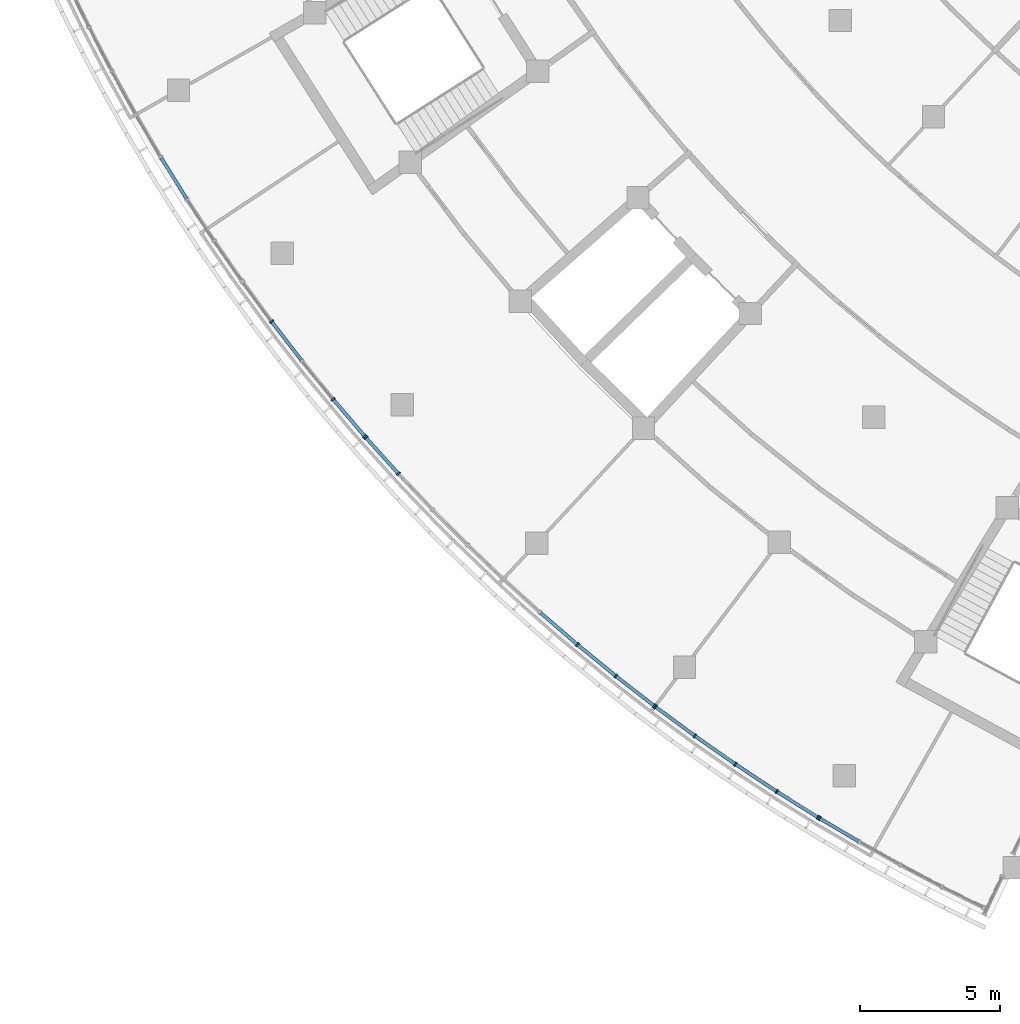
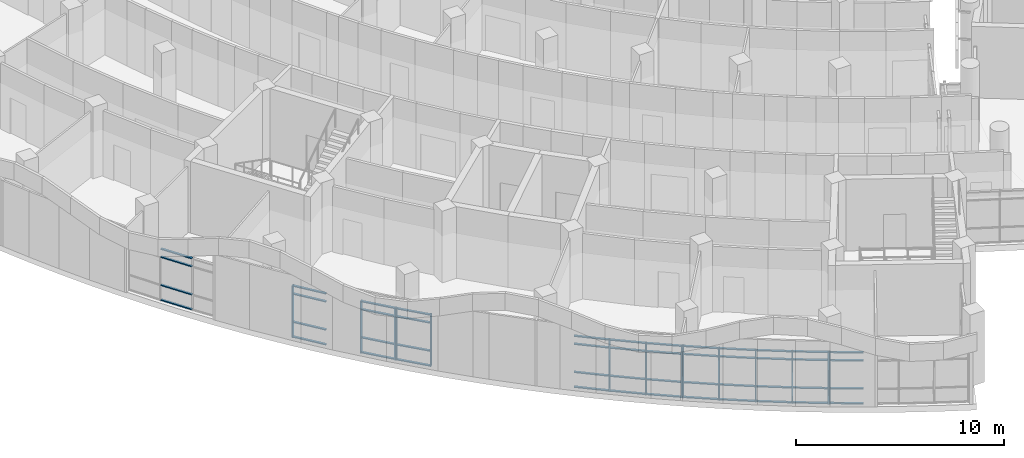
# One storey, part 4 of 109: 62 members, 6 elements without a shape of their own.
"""IFC4 building model written with IfcOpenShell, lengths in metres."""

from ifc_helpers import new_model, si_unit, direction, frame, origin, origin_2d, place, context, subcontext, project, spatial, rectangle, extrude, material, material_profile, profile_set, type_object, element, aggregate, save


model = new_model("IFC4")

# Units and contexts
model_context = context("Model", 3, precision=1e-05, world=origin(), true_north=direction((0.0, 1.0)))
body_context = subcontext(model_context, "Body", "Model", "MODEL_VIEW")
ifc_project = project(units=[si_unit("LENGTHUNIT", "METRE"), si_unit("AREAUNIT", "SQUARE_METRE"), si_unit("VOLUMEUNIT", "CUBIC_METRE"), si_unit("PLANEANGLEUNIT", "RADIAN"), si_unit("MASSUNIT", "GRAM", prefix="KILO")], contexts=[model_context])

# Site, building, storey
site_placement = place(None, origin())
site = spatial("IfcSite", under=ifc_project, at=site_placement, CompositionType="ELEMENT")
building_placement = place(site_placement, origin())
building = spatial("IfcBuilding", under=site, at=building_placement, Name="Bougainvillea Quay General Hospital", CompositionType="ELEMENT")
storey_placement = place(building_placement, frame((0.0, 0.0, 12.60009765625)))
storey = spatial("IfcBuildingStorey", under=building, at=storey_placement, Name="L02", CompositionType="ELEMENT", Elevation=12.60009765625)

# Curtain wall, member
ifc_material_1 = material(Name="Aluminium curtain wall system, powder-coated glazed", Category="aluminium")
curtain_wall_type = type_object("IfcCurtainWallType", Name="Unitised curtain wall CW-2100", PredefinedType="NOTDEFINED", material=ifc_material_1)
curtain_wall_1_placement = place(storey_placement, origin())
curtain_wall_1 = element("IfcCurtainWall", 1, at=curtain_wall_1_placement, inside=storey, type_object=curtain_wall_type, Name="CW-W01 a01b0", PredefinedType="NOTDEFINED")
ifc_material_2 = material(Name="Aluminium mullion, powder-coated charcoal", Category="aluminium")
ifc_material_profile_1 = material_profile(ifc_material_2, rectangle(XDim=0.159912109375, YDim=0.06005859375, at=origin_2d()))
ifc_profile_set_1 = profile_set([ifc_material_profile_1], Name="Aluminium mullion, powder-coated charcoal")
member_type_1 = type_object("IfcMemberType", Name="Curtain wall mullion 160x60", PredefinedType="MULLION", material=ifc_profile_set_1)
member_1_placement = place(storey_placement, frame((72.976806640625, 66.393798828125, 0.0), z_axis=(0.0, 0.0, 1.0), x_axis=(-0.509346436695, -0.860561565158, 0.0)))
member_1 = element("IfcMember", 2, at=member_1_placement, type_object=member_type_1, Name="CW-W01 mullion 5", PredefinedType="MULLION", context=body_context, shape_type="SweptSolid", body=[
    extrude(rectangle(XDim=0.159912109375, YDim=0.06005859375, at=origin_2d()), origin(), (0.0, 0.0, 1.0), 3.0498046875),
])

# Curtain wall, members
curtain_wall_2_placement = place(storey_placement, origin())
curtain_wall_2 = element("IfcCurtainWall", 3, at=curtain_wall_2_placement, inside=storey, type_object=curtain_wall_type, Name="CW-W02 a01b1", PredefinedType="NOTDEFINED")
member_2_placement = place(storey_placement, frame((72.925537109375, 66.425048828125, 0.0), z_axis=(0.0, 0.0, 1.0), x_axis=(-0.530488991968, -0.847691824545, 0.0)))
member_2 = element("IfcMember", 4, at=member_2_placement, type_object=member_type_1, Name="CW-W02 mullion 1", PredefinedType="MULLION", context=body_context, shape_type="SweptSolid", body=[
    extrude(rectangle(XDim=0.159912109375, YDim=0.06005859375, at=origin_2d()), origin(), (0.0, 0.0, 1.0), 3.0498046875),
])
member_3_placement = place(storey_placement, frame((71.45166015625, 67.347412109375, 0.0), z_axis=(0.0, 0.0, 1.0), x_axis=(-0.541194636325, -0.840897357359, 0.0)))
member_3 = element("IfcMember", 5, at=member_3_placement, type_object=member_type_1, Name="CW-W02 mullion 2", PredefinedType="MULLION", context=body_context, shape_type="SweptSolid", body=[
    extrude(rectangle(XDim=0.159912109375, YDim=0.06005859375, at=origin_2d()), origin(), (0.0, 0.0, 1.0), 3.0498046875),
])
member_4_placement = place(storey_placement, frame((69.9765625, 68.323486328125, 0.0), z_axis=(0.0, 0.0, 1.0), x_axis=(-0.562343185136, -0.826903949762, 0.0)))
member_4 = element("IfcMember", 6, at=member_4_placement, type_object=member_type_1, Name="CW-W02 mullion 3", PredefinedType="MULLION", context=body_context, shape_type="SweptSolid", body=[
    extrude(rectangle(XDim=0.159912109375, YDim=0.06005859375, at=origin_2d()), origin(), (0.0, 0.0, 1.0), 3.0498046875),
])
member_5_placement = place(storey_placement, frame((68.526611328125, 69.336669921875, 0.0), z_axis=(0.0, 0.0, 1.0), x_axis=(-0.583130104218, -0.812378779606, 0.0)))
member_5 = element("IfcMember", 7, at=member_5_placement, type_object=member_type_1, Name="CW-W02 mullion 4", PredefinedType="MULLION", context=body_context, shape_type="SweptSolid", body=[
    extrude(rectangle(XDim=0.159912109375, YDim=0.06005859375, at=origin_2d()), origin(), (0.0, 0.0, 1.0), 3.0498046875),
])
member_6_placement = place(storey_placement, frame((67.127197265625, 70.368408203125, 0.0), z_axis=(0.0, 0.0, 1.0), x_axis=(-0.593383765922, -0.804919689373, 0.0)))
member_6 = element("IfcMember", 8, at=member_6_placement, type_object=member_type_1, Name="CW-W02 mullion 5", PredefinedType="MULLION", context=body_context, shape_type="SweptSolid", body=[
    extrude(rectangle(XDim=0.159912109375, YDim=0.06005859375, at=origin_2d()), origin(), (0.0, 0.0, 1.0), 3.0498046875),
])

curtain_wall_3_placement = place(storey_placement, origin())
curtain_wall_3 = element("IfcCurtainWall", 9, at=curtain_wall_3_placement, inside=storey, type_object=curtain_wall_type, Name="CW-W03 a01b2", PredefinedType="NOTDEFINED")
member_7_placement = place(storey_placement, frame((67.079345703125, 70.404541015625, 0.0), z_axis=(0.0, 0.0, 1.0), x_axis=(-0.613603251226, -0.789614494602, 0.0)))
member_7 = element("IfcMember", 10, at=member_7_placement, type_object=member_type_1, Name="CW-W03 mullion 1", PredefinedType="MULLION", context=body_context, shape_type="SweptSolid", body=[
    extrude(rectangle(XDim=0.159912109375, YDim=0.06005859375, at=origin_2d()), origin(), (0.0, 0.0, 1.0), 3.0498046875),
])
member_8_placement = place(storey_placement, frame((65.706298828125, 71.471435546875, 0.0), z_axis=(0.0, 0.0, 1.0), x_axis=(-0.623565824026, -0.781770850765, 0.0)))
member_8 = element("IfcMember", 11, at=member_8_placement, type_object=member_type_1, Name="CW-W03 mullion 2", PredefinedType="MULLION", context=body_context, shape_type="SweptSolid", body=[
    extrude(rectangle(XDim=0.159912109375, YDim=0.06005859375, at=origin_2d()), origin(), (0.0, 0.0, 1.0), 3.0498046875),
])
member_9_placement = place(storey_placement, frame((64.337646484375, 72.591796875, 0.0), z_axis=(0.0, 0.0, 1.0), x_axis=(-0.643188621489, -0.765707775321, 0.0)))
member_9 = element("IfcMember", 12, at=member_9_placement, type_object=member_type_1, Name="CW-W03 mullion 3", PredefinedType="MULLION", context=body_context, shape_type="SweptSolid", body=[
    extrude(rectangle(XDim=0.159912109375, YDim=0.06005859375, at=origin_2d()), origin(), (0.0, 0.0, 1.0), 3.0498046875),
])

curtain_wall_4_placement = place(storey_placement, origin())
curtain_wall_4 = element("IfcCurtainWall", 13, at=curtain_wall_4_placement, inside=storey, type_object=curtain_wall_type, Name="CW-W04 a01b3", PredefinedType="NOTDEFINED")
member_10_placement = place(storey_placement, frame((57.94384765625, 78.69384765625, 0.0), z_axis=(0.0, 0.0, 1.0), x_axis=(-0.734855411756, -0.678223800683, 0.0)))
member_10 = element("IfcMember", 14, at=member_10_placement, type_object=member_type_1, Name="CW-W04 mullion 4", PredefinedType="MULLION", context=body_context, shape_type="SweptSolid", body=[
    extrude(rectangle(XDim=0.159912109375, YDim=0.06005859375, at=origin_2d()), origin(), (0.0, 0.0, 1.0), 3.0498046875),
])
member_11_placement = place(storey_placement, frame((56.78076171875, 79.986572265625, 0.0), z_axis=(0.0, 0.0, 1.0), x_axis=(-0.743395861593, -0.668851697289, 0.0)))
member_11 = element("IfcMember", 15, at=member_11_placement, type_object=member_type_1, Name="CW-W04 mullion 5", PredefinedType="MULLION", context=body_context, shape_type="SweptSolid", body=[
    extrude(rectangle(XDim=0.159912109375, YDim=0.06005859375, at=origin_2d()), origin(), (0.0, 0.0, 1.0), 3.0498046875),
])

curtain_wall_5_placement = place(storey_placement, origin())
curtain_wall_5 = element("IfcCurtainWall", 16, at=curtain_wall_5_placement, inside=storey, type_object=curtain_wall_type, Name="CW-W05 a01b4", PredefinedType="NOTDEFINED")
member_12_placement = place(storey_placement, frame((56.7412109375, 80.031494140625, 0.0), z_axis=(0.0, 0.0, 1.0), x_axis=(-0.760116847627, -0.649786409486, 0.0)))
member_12 = element("IfcMember", 17, at=member_12_placement, type_object=member_type_1, Name="CW-W05 mullion 1", PredefinedType="MULLION", context=body_context, shape_type="SweptSolid", body=[
    extrude(rectangle(XDim=0.159912109375, YDim=0.06005859375, at=origin_2d()), origin(), (0.0, 0.0, 1.0), 3.0498046875),
])
member_13_placement = place(storey_placement, frame((55.611572265625, 81.353271484375, 0.0), z_axis=(0.0, 0.0, 1.0), x_axis=(-0.768294695498, -0.64009629031, 0.0)))
member_13 = element("IfcMember", 18, at=member_13_placement, type_object=member_type_1, Name="CW-W05 mullion 2", PredefinedType="MULLION", context=body_context, shape_type="SweptSolid", body=[
    extrude(rectangle(XDim=0.159912109375, YDim=0.06005859375, at=origin_2d()), origin(), (0.0, 0.0, 1.0), 3.0498046875),
])
member_14_placement = place(storey_placement, frame((53.4169921875, 84.12744140625, 0.0), z_axis=(0.0, 0.0, 1.0), x_axis=(-0.799758007688, -0.600322520933, 0.0)))
member_14 = element("IfcMember", 19, at=member_14_placement, type_object=member_type_1, Name="CW-W05 mullion 4", PredefinedType="MULLION", context=body_context, shape_type="SweptSolid", body=[
    extrude(rectangle(XDim=0.159912109375, YDim=0.06005859375, at=origin_2d()), origin(), (0.0, 0.0, 1.0), 3.0498046875),
])

# Member
ifc_material_3 = material(Name="Aluminium transom, powder-coated charcoal", Category="aluminium")
ifc_material_profile_2 = material_profile(ifc_material_3, rectangle(XDim=0.1201171875, YDim=0.06005859375, at=origin_2d()))
ifc_profile_set_2 = profile_set([ifc_material_profile_2], Name="Aluminium transom, powder-coated charcoal")
member_type_2 = type_object("IfcMemberType", Name="Curtain wall transom 120x60", PredefinedType="USERDEFINED", material=ifc_profile_set_2)
member_15_placement = place(storey_placement, frame((74.37451171875, 65.566650390625, 0.02978515625), z_axis=(-0.860545172696, 0.509374131409, 0.0), x_axis=(-0.509374131409, -0.860545172696, 0.0)))
member_15 = element("IfcMember", 20, at=member_15_placement, type_object=member_type_2, Name="CW-W01 transom 4.1", ObjectType="TRANSOM", PredefinedType="USERDEFINED", context=body_context, shape_type="SweptSolid", body=[
    extrude(rectangle(XDim=0.1201171875, YDim=0.06005859375, at=origin_2d()), origin(), (0.0, 0.0, 1.0), 1.59423828125),
])

member_16_placement = place(storey_placement, frame((74.37451171875, 65.566650390625, 0.89990234375), z_axis=(-0.860545172696, 0.509374131409, 0.0), x_axis=(-0.509374131409, -0.860545172696, 0.0)))
member_16 = element("IfcMember", 21, at=member_16_placement, type_object=member_type_2, Name="CW-W01 transom 4.2", ObjectType="TRANSOM", PredefinedType="USERDEFINED", context=body_context, shape_type="SweptSolid", body=[
    extrude(rectangle(XDim=0.1201171875, YDim=0.06005859375, at=origin_2d()), origin(), (0.0, 0.0, 1.0), 1.59423828125),
])

member_17_placement = place(storey_placement, frame((74.37451171875, 65.566650390625, 2.5498046875), z_axis=(-0.860545172696, 0.509374131409, 0.0), x_axis=(-0.509374131409, -0.860545172696, 0.0)))
member_17 = element("IfcMember", 22, at=member_17_placement, type_object=member_type_2, Name="CW-W01 transom 4.3", ObjectType="TRANSOM", PredefinedType="USERDEFINED", context=body_context, shape_type="SweptSolid", body=[
    extrude(rectangle(XDim=0.1201171875, YDim=0.06005859375, at=origin_2d()), origin(), (0.0, 0.0, 1.0), 1.59423828125),
])

member_18_placement = place(storey_placement, frame((74.37451171875, 65.566650390625, 3.02001953125), z_axis=(-0.860545172696, 0.509374131409, 0.0), x_axis=(-0.509374131409, -0.860545172696, 0.0)))
member_18 = element("IfcMember", 23, at=member_18_placement, type_object=member_type_2, Name="CW-W01 transom 4.4", ObjectType="TRANSOM", PredefinedType="USERDEFINED", context=body_context, shape_type="SweptSolid", body=[
    extrude(rectangle(XDim=0.1201171875, YDim=0.06005859375, at=origin_2d()), origin(), (0.0, 0.0, 1.0), 1.59423828125),
])

aggregate(curtain_wall_1, [member_1, member_15, member_16, member_17, member_18])

member_19_placement = place(storey_placement, frame((72.900146484375, 66.44091796875, 0.02978515625), z_axis=(-0.847679524006, 0.530508647036, 0.0), x_axis=(-0.530508647036, -0.847679524006, 0.0)))
member_19 = element("IfcMember", 24, at=member_19_placement, type_object=member_type_2, Name="CW-W02 transom 1.1", ObjectType="TRANSOM", PredefinedType="USERDEFINED", context=body_context, shape_type="SweptSolid", body=[
    extrude(rectangle(XDim=0.1201171875, YDim=0.06005859375, at=origin_2d()), origin(), (0.0, 0.0, 1.0), 1.6787109375),
])

member_20_placement = place(storey_placement, frame((72.900146484375, 66.44091796875, 0.89990234375), z_axis=(-0.847679524006, 0.530508647036, 0.0), x_axis=(-0.530508647036, -0.847679524006, 0.0)))
member_20 = element("IfcMember", 25, at=member_20_placement, type_object=member_type_2, Name="CW-W02 transom 1.2", ObjectType="TRANSOM", PredefinedType="USERDEFINED", context=body_context, shape_type="SweptSolid", body=[
    extrude(rectangle(XDim=0.1201171875, YDim=0.06005859375, at=origin_2d()), origin(), (0.0, 0.0, 1.0), 1.6787109375),
])

member_21_placement = place(storey_placement, frame((72.900146484375, 66.44091796875, 2.5498046875), z_axis=(-0.847679524006, 0.530508647036, 0.0), x_axis=(-0.530508647036, -0.847679524006, 0.0)))
member_21 = element("IfcMember", 26, at=member_21_placement, type_object=member_type_2, Name="CW-W02 transom 1.3", ObjectType="TRANSOM", PredefinedType="USERDEFINED", context=body_context, shape_type="SweptSolid", body=[
    extrude(rectangle(XDim=0.1201171875, YDim=0.06005859375, at=origin_2d()), origin(), (0.0, 0.0, 1.0), 1.6787109375),
])

member_22_placement = place(storey_placement, frame((72.900146484375, 66.44091796875, 3.02001953125), z_axis=(-0.847679524006, 0.530508647036, 0.0), x_axis=(-0.530508647036, -0.847679524006, 0.0)))
member_22 = element("IfcMember", 27, at=member_22_placement, type_object=member_type_2, Name="CW-W02 transom 1.4", ObjectType="TRANSOM", PredefinedType="USERDEFINED", context=body_context, shape_type="SweptSolid", body=[
    extrude(rectangle(XDim=0.1201171875, YDim=0.06005859375, at=origin_2d()), origin(), (0.0, 0.0, 1.0), 1.6787109375),
])

member_23_placement = place(storey_placement, frame((71.4267578125, 67.364013671875, 0.02978515625), z_axis=(-0.833979585155, 0.551795298589, 0.0), x_axis=(-0.551795298589, -0.833979585155, 0.0)))
member_23 = element("IfcMember", 28, at=member_23_placement, type_object=member_type_2, Name="CW-W02 transom 2.1", ObjectType="TRANSOM", PredefinedType="USERDEFINED", context=body_context, shape_type="SweptSolid", body=[
    extrude(rectangle(XDim=0.1201171875, YDim=0.06005859375, at=origin_2d()), origin(), (0.0, 0.0, 1.0), 1.708740234375),
])

member_24_placement = place(storey_placement, frame((71.4267578125, 67.364013671875, 0.89990234375), z_axis=(-0.833979585155, 0.551795298589, 0.0), x_axis=(-0.551795298589, -0.833979585155, 0.0)))
member_24 = element("IfcMember", 29, at=member_24_placement, type_object=member_type_2, Name="CW-W02 transom 2.2", ObjectType="TRANSOM", PredefinedType="USERDEFINED", context=body_context, shape_type="SweptSolid", body=[
    extrude(rectangle(XDim=0.1201171875, YDim=0.06005859375, at=origin_2d()), origin(), (0.0, 0.0, 1.0), 1.708740234375),
])

member_25_placement = place(storey_placement, frame((71.4267578125, 67.364013671875, 2.5498046875), z_axis=(-0.833979585155, 0.551795298589, 0.0), x_axis=(-0.551795298589, -0.833979585155, 0.0)))
member_25 = element("IfcMember", 30, at=member_25_placement, type_object=member_type_2, Name="CW-W02 transom 2.3", ObjectType="TRANSOM", PredefinedType="USERDEFINED", context=body_context, shape_type="SweptSolid", body=[
    extrude(rectangle(XDim=0.1201171875, YDim=0.06005859375, at=origin_2d()), origin(), (0.0, 0.0, 1.0), 1.708740234375),
])

member_26_placement = place(storey_placement, frame((71.4267578125, 67.364013671875, 3.02001953125), z_axis=(-0.833979585155, 0.551795298589, 0.0), x_axis=(-0.551795298589, -0.833979585155, 0.0)))
member_26 = element("IfcMember", 31, at=member_26_placement, type_object=member_type_2, Name="CW-W02 transom 2.4", ObjectType="TRANSOM", PredefinedType="USERDEFINED", context=body_context, shape_type="SweptSolid", body=[
    extrude(rectangle(XDim=0.1201171875, YDim=0.06005859375, at=origin_2d()), origin(), (0.0, 0.0, 1.0), 1.708740234375),
])

member_27_placement = place(storey_placement, frame((69.951904296875, 68.340576171875, 0.02978515625), z_axis=(-0.81969481029, 0.572800504524, 0.0), x_axis=(-0.572800504524, -0.81969481029, 0.0)))
member_27 = element("IfcMember", 32, at=member_27_placement, type_object=member_type_2, Name="CW-W02 transom 3.1", ObjectType="TRANSOM", PredefinedType="USERDEFINED", context=body_context, shape_type="SweptSolid", body=[
    extrude(rectangle(XDim=0.1201171875, YDim=0.06005859375, at=origin_2d()), origin(), (0.0, 0.0, 1.0), 1.708740234375),
])

member_28_placement = place(storey_placement, frame((69.951904296875, 68.340576171875, 0.89990234375), z_axis=(-0.81969481029, 0.572800504524, 0.0), x_axis=(-0.572800504524, -0.81969481029, 0.0)))
member_28 = element("IfcMember", 33, at=member_28_placement, type_object=member_type_2, Name="CW-W02 transom 3.2", ObjectType="TRANSOM", PredefinedType="USERDEFINED", context=body_context, shape_type="SweptSolid", body=[
    extrude(rectangle(XDim=0.1201171875, YDim=0.06005859375, at=origin_2d()), origin(), (0.0, 0.0, 1.0), 1.708740234375),
])

member_29_placement = place(storey_placement, frame((69.951904296875, 68.340576171875, 2.5498046875), z_axis=(-0.81969481029, 0.572800504524, 0.0), x_axis=(-0.572800504524, -0.81969481029, 0.0)))
member_29 = element("IfcMember", 34, at=member_29_placement, type_object=member_type_2, Name="CW-W02 transom 3.3", ObjectType="TRANSOM", PredefinedType="USERDEFINED", context=body_context, shape_type="SweptSolid", body=[
    extrude(rectangle(XDim=0.1201171875, YDim=0.06005859375, at=origin_2d()), origin(), (0.0, 0.0, 1.0), 1.708740234375),
])

member_30_placement = place(storey_placement, frame((69.951904296875, 68.340576171875, 3.02001953125), z_axis=(-0.81969481029, 0.572800504524, 0.0), x_axis=(-0.572800504524, -0.81969481029, 0.0)))
member_30 = element("IfcMember", 35, at=member_30_placement, type_object=member_type_2, Name="CW-W02 transom 3.4", ObjectType="TRANSOM", PredefinedType="USERDEFINED", context=body_context, shape_type="SweptSolid", body=[
    extrude(rectangle(XDim=0.1201171875, YDim=0.06005859375, at=origin_2d()), origin(), (0.0, 0.0, 1.0), 1.708740234375),
])

member_31_placement = place(storey_placement, frame((68.50244140625, 69.3544921875, 0.02978515625), z_axis=(-0.804894956089, 0.593417314934, 0.0), x_axis=(-0.593417314934, -0.804894956089, 0.0)))
member_31 = element("IfcMember", 36, at=member_31_placement, type_object=member_type_2, Name="CW-W02 transom 4.1", ObjectType="TRANSOM", PredefinedType="USERDEFINED", context=body_context, shape_type="SweptSolid", body=[
    extrude(rectangle(XDim=0.1201171875, YDim=0.06005859375, at=origin_2d()), origin(), (0.0, 0.0, 1.0), 1.678466796875),
])

member_32_placement = place(storey_placement, frame((68.50244140625, 69.3544921875, 0.89990234375), z_axis=(-0.804894956089, 0.593417314934, 0.0), x_axis=(-0.593417314934, -0.804894956089, 0.0)))
member_32 = element("IfcMember", 37, at=member_32_placement, type_object=member_type_2, Name="CW-W02 transom 4.2", ObjectType="TRANSOM", PredefinedType="USERDEFINED", context=body_context, shape_type="SweptSolid", body=[
    extrude(rectangle(XDim=0.1201171875, YDim=0.06005859375, at=origin_2d()), origin(), (0.0, 0.0, 1.0), 1.678466796875),
])

member_33_placement = place(storey_placement, frame((68.50244140625, 69.3544921875, 2.5498046875), z_axis=(-0.804894956089, 0.593417314934, 0.0), x_axis=(-0.593417314934, -0.804894956089, 0.0)))
member_33 = element("IfcMember", 38, at=member_33_placement, type_object=member_type_2, Name="CW-W02 transom 4.3", ObjectType="TRANSOM", PredefinedType="USERDEFINED", context=body_context, shape_type="SweptSolid", body=[
    extrude(rectangle(XDim=0.1201171875, YDim=0.06005859375, at=origin_2d()), origin(), (0.0, 0.0, 1.0), 1.678466796875),
])

member_34_placement = place(storey_placement, frame((68.50244140625, 69.3544921875, 3.02001953125), z_axis=(-0.804894956089, 0.593417314934, 0.0), x_axis=(-0.593417314934, -0.804894956089, 0.0)))
member_34 = element("IfcMember", 39, at=member_34_placement, type_object=member_type_2, Name="CW-W02 transom 4.4", ObjectType="TRANSOM", PredefinedType="USERDEFINED", context=body_context, shape_type="SweptSolid", body=[
    extrude(rectangle(XDim=0.1201171875, YDim=0.06005859375, at=origin_2d()), origin(), (0.0, 0.0, 1.0), 1.678466796875),
])

aggregate(curtain_wall_2, [member_2, member_3, member_4, member_5, member_6, member_19, member_20, member_21, member_22, member_23, member_24, member_25, member_26, member_27, member_28, member_29, member_30, member_31, member_32, member_33, member_34])

member_35_placement = place(storey_placement, frame((67.0556640625, 70.423095703125, 0.02978515625), z_axis=(-0.789657512127, 0.613547890178, 0.0), x_axis=(-0.613547890178, -0.789657512127, 0.0)))
member_35 = element("IfcMember", 40, at=member_35_placement, type_object=member_type_2, Name="CW-W03 transom 1.1", ObjectType="TRANSOM", PredefinedType="USERDEFINED", context=body_context, shape_type="SweptSolid", body=[
    extrude(rectangle(XDim=0.1201171875, YDim=0.06005859375, at=origin_2d()), origin(), (0.0, 0.0, 1.0), 1.6787109375),
])

member_36_placement = place(storey_placement, frame((67.0556640625, 70.423095703125, 0.89990234375), z_axis=(-0.789657512127, 0.613547890178, 0.0), x_axis=(-0.613547890178, -0.789657512127, 0.0)))
member_36 = element("IfcMember", 41, at=member_36_placement, type_object=member_type_2, Name="CW-W03 transom 1.2", ObjectType="TRANSOM", PredefinedType="USERDEFINED", context=body_context, shape_type="SweptSolid", body=[
    extrude(rectangle(XDim=0.1201171875, YDim=0.06005859375, at=origin_2d()), origin(), (0.0, 0.0, 1.0), 1.6787109375),
])

member_37_placement = place(storey_placement, frame((67.0556640625, 70.423095703125, 2.5498046875), z_axis=(-0.789657512127, 0.613547890178, 0.0), x_axis=(-0.613547890178, -0.789657512127, 0.0)))
member_37 = element("IfcMember", 42, at=member_37_placement, type_object=member_type_2, Name="CW-W03 transom 1.3", ObjectType="TRANSOM", PredefinedType="USERDEFINED", context=body_context, shape_type="SweptSolid", body=[
    extrude(rectangle(XDim=0.1201171875, YDim=0.06005859375, at=origin_2d()), origin(), (0.0, 0.0, 1.0), 1.6787109375),
])

member_38_placement = place(storey_placement, frame((67.0556640625, 70.423095703125, 3.02001953125), z_axis=(-0.789657512127, 0.613547890178, 0.0), x_axis=(-0.613547890178, -0.789657512127, 0.0)))
member_38 = element("IfcMember", 43, at=member_38_placement, type_object=member_type_2, Name="CW-W03 transom 1.4", ObjectType="TRANSOM", PredefinedType="USERDEFINED", context=body_context, shape_type="SweptSolid", body=[
    extrude(rectangle(XDim=0.1201171875, YDim=0.06005859375, at=origin_2d()), origin(), (0.0, 0.0, 1.0), 1.6787109375),
])

member_39_placement = place(storey_placement, frame((65.68310546875, 71.490478515625, 0.02978515625), z_axis=(-0.773766303508, 0.633471157635, 0.0), x_axis=(-0.633471157635, -0.773766303508, 0.0)))
member_39 = element("IfcMember", 44, at=member_39_placement, type_object=member_type_2, Name="CW-W03 transom 2.1", ObjectType="TRANSOM", PredefinedType="USERDEFINED", context=body_context, shape_type="SweptSolid", body=[
    extrude(rectangle(XDim=0.1201171875, YDim=0.06005859375, at=origin_2d()), origin(), (0.0, 0.0, 1.0), 1.708984375),
])

member_40_placement = place(storey_placement, frame((65.68310546875, 71.490478515625, 0.89990234375), z_axis=(-0.773766303508, 0.633471157635, 0.0), x_axis=(-0.633471157635, -0.773766303508, 0.0)))
member_40 = element("IfcMember", 45, at=member_40_placement, type_object=member_type_2, Name="CW-W03 transom 2.2", ObjectType="TRANSOM", PredefinedType="USERDEFINED", context=body_context, shape_type="SweptSolid", body=[
    extrude(rectangle(XDim=0.1201171875, YDim=0.06005859375, at=origin_2d()), origin(), (0.0, 0.0, 1.0), 1.708984375),
])

member_41_placement = place(storey_placement, frame((65.68310546875, 71.490478515625, 2.5498046875), z_axis=(-0.773766303508, 0.633471157635, 0.0), x_axis=(-0.633471157635, -0.773766303508, 0.0)))
member_41 = element("IfcMember", 46, at=member_41_placement, type_object=member_type_2, Name="CW-W03 transom 2.3", ObjectType="TRANSOM", PredefinedType="USERDEFINED", context=body_context, shape_type="SweptSolid", body=[
    extrude(rectangle(XDim=0.1201171875, YDim=0.06005859375, at=origin_2d()), origin(), (0.0, 0.0, 1.0), 1.708984375),
])

member_42_placement = place(storey_placement, frame((65.68310546875, 71.490478515625, 3.02001953125), z_axis=(-0.773766303508, 0.633471157635, 0.0), x_axis=(-0.633471157635, -0.773766303508, 0.0)))
member_42 = element("IfcMember", 47, at=member_42_placement, type_object=member_type_2, Name="CW-W03 transom 2.4", ObjectType="TRANSOM", PredefinedType="USERDEFINED", context=body_context, shape_type="SweptSolid", body=[
    extrude(rectangle(XDim=0.1201171875, YDim=0.06005859375, at=origin_2d()), origin(), (0.0, 0.0, 1.0), 1.708984375),
])

member_43_placement = place(storey_placement, frame((64.31494140625, 72.611572265625, 0.02978515625), z_axis=(-0.757529337262, 0.6528011207, 0.0), x_axis=(-0.6528011207, -0.757529337262, 0.0)))
member_43 = element("IfcMember", 48, at=member_43_placement, type_object=member_type_2, Name="CW-W03 transom 3.1", ObjectType="TRANSOM", PredefinedType="USERDEFINED", context=body_context, shape_type="SweptSolid", body=[
    extrude(rectangle(XDim=0.1201171875, YDim=0.06005859375, at=origin_2d()), origin(), (0.0, 0.0, 1.0), 1.708740234375),
])

member_44_placement = place(storey_placement, frame((64.31494140625, 72.611572265625, 0.89990234375), z_axis=(-0.757529337262, 0.6528011207, 0.0), x_axis=(-0.6528011207, -0.757529337262, 0.0)))
member_44 = element("IfcMember", 49, at=member_44_placement, type_object=member_type_2, Name="CW-W03 transom 3.2", ObjectType="TRANSOM", PredefinedType="USERDEFINED", context=body_context, shape_type="SweptSolid", body=[
    extrude(rectangle(XDim=0.1201171875, YDim=0.06005859375, at=origin_2d()), origin(), (0.0, 0.0, 1.0), 1.708740234375),
])

member_45_placement = place(storey_placement, frame((64.31494140625, 72.611572265625, 2.5498046875), z_axis=(-0.757529337262, 0.6528011207, 0.0), x_axis=(-0.6528011207, -0.757529337262, 0.0)))
member_45 = element("IfcMember", 50, at=member_45_placement, type_object=member_type_2, Name="CW-W03 transom 3.3", ObjectType="TRANSOM", PredefinedType="USERDEFINED", context=body_context, shape_type="SweptSolid", body=[
    extrude(rectangle(XDim=0.1201171875, YDim=0.06005859375, at=origin_2d()), origin(), (0.0, 0.0, 1.0), 1.708740234375),
])

member_46_placement = place(storey_placement, frame((64.31494140625, 72.611572265625, 3.02001953125), z_axis=(-0.757529337262, 0.6528011207, 0.0), x_axis=(-0.6528011207, -0.757529337262, 0.0)))
member_46 = element("IfcMember", 51, at=member_46_placement, type_object=member_type_2, Name="CW-W03 transom 3.4", ObjectType="TRANSOM", PredefinedType="USERDEFINED", context=body_context, shape_type="SweptSolid", body=[
    extrude(rectangle(XDim=0.1201171875, YDim=0.06005859375, at=origin_2d()), origin(), (0.0, 0.0, 1.0), 1.708740234375),
])

aggregate(curtain_wall_3, [member_7, member_8, member_9, member_35, member_36, member_37, member_38, member_39, member_40, member_41, member_42, member_43, member_44, member_45, member_46])

member_47_placement = place(storey_placement, frame((57.923828125, 78.71630859375, 0.02978515625), z_axis=(-0.668892408727, 0.743359230485, 0.0), x_axis=(-0.743359230485, -0.668892408727, 0.0)))
member_47 = element("IfcMember", 52, at=member_47_placement, type_object=member_type_2, Name="CW-W04 transom 4.1", ObjectType="TRANSOM", PredefinedType="USERDEFINED", context=body_context, shape_type="SweptSolid", body=[
    extrude(rectangle(XDim=0.1201171875, YDim=0.06005859375, at=origin_2d()), origin(), (0.0, 0.0, 1.0), 1.6787109375),
])

member_48_placement = place(storey_placement, frame((57.923828125, 78.71630859375, 0.89990234375), z_axis=(-0.668892408727, 0.743359230485, 0.0), x_axis=(-0.743359230485, -0.668892408727, 0.0)))
member_48 = element("IfcMember", 53, at=member_48_placement, type_object=member_type_2, Name="CW-W04 transom 4.2", ObjectType="TRANSOM", PredefinedType="USERDEFINED", context=body_context, shape_type="SweptSolid", body=[
    extrude(rectangle(XDim=0.1201171875, YDim=0.06005859375, at=origin_2d()), origin(), (0.0, 0.0, 1.0), 1.6787109375),
])

member_49_placement = place(storey_placement, frame((57.923828125, 78.71630859375, 2.5498046875), z_axis=(-0.668892408727, 0.743359230485, 0.0), x_axis=(-0.743359230485, -0.668892408727, 0.0)))
member_49 = element("IfcMember", 54, at=member_49_placement, type_object=member_type_2, Name="CW-W04 transom 4.3", ObjectType="TRANSOM", PredefinedType="USERDEFINED", context=body_context, shape_type="SweptSolid", body=[
    extrude(rectangle(XDim=0.1201171875, YDim=0.06005859375, at=origin_2d()), origin(), (0.0, 0.0, 1.0), 1.6787109375),
])

member_50_placement = place(storey_placement, frame((57.923828125, 78.71630859375, 3.02001953125), z_axis=(-0.668892408727, 0.743359230485, 0.0), x_axis=(-0.743359230485, -0.668892408727, 0.0)))
member_50 = element("IfcMember", 55, at=member_50_placement, type_object=member_type_2, Name="CW-W04 transom 4.4", ObjectType="TRANSOM", PredefinedType="USERDEFINED", context=body_context, shape_type="SweptSolid", body=[
    extrude(rectangle(XDim=0.1201171875, YDim=0.06005859375, at=origin_2d()), origin(), (0.0, 0.0, 1.0), 1.6787109375),
])

aggregate(curtain_wall_4, [member_10, member_11, member_47, member_48, member_49, member_50])

member_51_placement = place(storey_placement, frame((56.721923828125, 80.054443359375, 0.02978515625), z_axis=(-0.649844836937, 0.760066896994, 0.0), x_axis=(-0.760066896994, -0.649844836937, 0.0)))
member_51 = element("IfcMember", 56, at=member_51_placement, type_object=member_type_2, Name="CW-W05 transom 1.1", ObjectType="TRANSOM", PredefinedType="USERDEFINED", context=body_context, shape_type="SweptSolid", body=[
    extrude(rectangle(XDim=0.1201171875, YDim=0.06005859375, at=origin_2d()), origin(), (0.0, 0.0, 1.0), 1.678955078125),
])

member_52_placement = place(storey_placement, frame((56.721923828125, 80.054443359375, 0.89990234375), z_axis=(-0.649844836937, 0.760066896994, 0.0), x_axis=(-0.760066896994, -0.649844836937, 0.0)))
member_52 = element("IfcMember", 57, at=member_52_placement, type_object=member_type_2, Name="CW-W05 transom 1.2", ObjectType="TRANSOM", PredefinedType="USERDEFINED", context=body_context, shape_type="SweptSolid", body=[
    extrude(rectangle(XDim=0.1201171875, YDim=0.06005859375, at=origin_2d()), origin(), (0.0, 0.0, 1.0), 1.678955078125),
])

member_53_placement = place(storey_placement, frame((56.721923828125, 80.054443359375, 2.5498046875), z_axis=(-0.649844836937, 0.760066896994, 0.0), x_axis=(-0.760066896994, -0.649844836937, 0.0)))
member_53 = element("IfcMember", 58, at=member_53_placement, type_object=member_type_2, Name="CW-W05 transom 1.3", ObjectType="TRANSOM", PredefinedType="USERDEFINED", context=body_context, shape_type="SweptSolid", body=[
    extrude(rectangle(XDim=0.1201171875, YDim=0.06005859375, at=origin_2d()), origin(), (0.0, 0.0, 1.0), 1.678955078125),
])

member_54_placement = place(storey_placement, frame((56.721923828125, 80.054443359375, 3.02001953125), z_axis=(-0.649844836937, 0.760066896994, 0.0), x_axis=(-0.760066896994, -0.649844836937, 0.0)))
member_54 = element("IfcMember", 59, at=member_54_placement, type_object=member_type_2, Name="CW-W05 transom 1.4", ObjectType="TRANSOM", PredefinedType="USERDEFINED", context=body_context, shape_type="SweptSolid", body=[
    extrude(rectangle(XDim=0.1201171875, YDim=0.06005859375, at=origin_2d()), origin(), (0.0, 0.0, 1.0), 1.678955078125),
])

member_55_placement = place(storey_placement, frame((54.478271484375, 82.750244140625, 0.02978515625), z_axis=(-0.610373415052, 0.792113813916, 0.0), x_axis=(-0.792113813916, -0.610373415052, 0.0)))
member_55 = element("IfcMember", 60, at=member_55_placement, type_object=member_type_2, Name="CW-W05 transom 3.1", ObjectType="TRANSOM", PredefinedType="USERDEFINED", context=body_context, shape_type="SweptSolid", body=[
    extrude(rectangle(XDim=0.1201171875, YDim=0.06005859375, at=origin_2d()), origin(), (0.0, 0.0, 1.0), 1.708740234375),
])

member_56_placement = place(storey_placement, frame((54.478271484375, 82.750244140625, 0.89990234375), z_axis=(-0.610373415052, 0.792113813916, 0.0), x_axis=(-0.792113813916, -0.610373415052, 0.0)))
member_56 = element("IfcMember", 61, at=member_56_placement, type_object=member_type_2, Name="CW-W05 transom 3.2", ObjectType="TRANSOM", PredefinedType="USERDEFINED", context=body_context, shape_type="SweptSolid", body=[
    extrude(rectangle(XDim=0.1201171875, YDim=0.06005859375, at=origin_2d()), origin(), (0.0, 0.0, 1.0), 1.708740234375),
])

member_57_placement = place(storey_placement, frame((54.478271484375, 82.750244140625, 2.5498046875), z_axis=(-0.610373415052, 0.792113813916, 0.0), x_axis=(-0.792113813916, -0.610373415052, 0.0)))
member_57 = element("IfcMember", 62, at=member_57_placement, type_object=member_type_2, Name="CW-W05 transom 3.3", ObjectType="TRANSOM", PredefinedType="USERDEFINED", context=body_context, shape_type="SweptSolid", body=[
    extrude(rectangle(XDim=0.1201171875, YDim=0.06005859375, at=origin_2d()), origin(), (0.0, 0.0, 1.0), 1.708740234375),
])

member_58_placement = place(storey_placement, frame((54.478271484375, 82.750244140625, 3.02001953125), z_axis=(-0.610373415052, 0.792113813916, 0.0), x_axis=(-0.792113813916, -0.610373415052, 0.0)))
member_58 = element("IfcMember", 63, at=member_58_placement, type_object=member_type_2, Name="CW-W05 transom 3.4", ObjectType="TRANSOM", PredefinedType="USERDEFINED", context=body_context, shape_type="SweptSolid", body=[
    extrude(rectangle(XDim=0.1201171875, YDim=0.06005859375, at=origin_2d()), origin(), (0.0, 0.0, 1.0), 1.708740234375),
])

aggregate(curtain_wall_5, [member_12, member_13, member_14, member_51, member_52, member_53, member_54, member_55, member_56, member_57, member_58])

# Curtain wall, members
curtain_wall_6_placement = place(storey_placement, origin())
curtain_wall_6 = element("IfcCurtainWall", 64, at=curtain_wall_6_placement, inside=storey, type_object=curtain_wall_type, Name="CW-W06 a01b5", PredefinedType="NOTDEFINED")
member_59_placement = place(storey_placement, frame((50.3798828125, 88.513916015625, 0.02978515625), z_axis=(-0.527067635723, 0.84982333892, 0.0), x_axis=(-0.84982333892, -0.527067635723, 0.0)))
member_59 = element("IfcMember", 65, at=member_59_placement, type_object=member_type_2, Name="CW-W06 transom 3.1", ObjectType="TRANSOM", PredefinedType="USERDEFINED", context=body_context, shape_type="SweptSolid", body=[
    extrude(rectangle(XDim=0.1201171875, YDim=0.06005859375, at=origin_2d()), origin(), (0.0, 0.0, 1.0), 1.708740234375),
])
member_60_placement = place(storey_placement, frame((50.3798828125, 88.513916015625, 0.89990234375), z_axis=(-0.527067635723, 0.84982333892, 0.0), x_axis=(-0.84982333892, -0.527067635723, 0.0)))
member_60 = element("IfcMember", 66, at=member_60_placement, type_object=member_type_2, Name="CW-W06 transom 3.2", ObjectType="TRANSOM", PredefinedType="USERDEFINED", context=body_context, shape_type="SweptSolid", body=[
    extrude(rectangle(XDim=0.1201171875, YDim=0.06005859375, at=origin_2d()), origin(), (0.0, 0.0, 1.0), 1.708740234375),
])
member_61_placement = place(storey_placement, frame((50.3798828125, 88.513916015625, 2.5498046875), z_axis=(-0.527067635723, 0.84982333892, 0.0), x_axis=(-0.84982333892, -0.527067635723, 0.0)))
member_61 = element("IfcMember", 67, at=member_61_placement, type_object=member_type_2, Name="CW-W06 transom 3.3", ObjectType="TRANSOM", PredefinedType="USERDEFINED", context=body_context, shape_type="SweptSolid", body=[
    extrude(rectangle(XDim=0.1201171875, YDim=0.06005859375, at=origin_2d()), origin(), (0.0, 0.0, 1.0), 1.708740234375),
])
member_62_placement = place(storey_placement, frame((50.3798828125, 88.513916015625, 3.02001953125), z_axis=(-0.527067635723, 0.84982333892, 0.0), x_axis=(-0.84982333892, -0.527067635723, 0.0)))
member_62 = element("IfcMember", 68, at=member_62_placement, type_object=member_type_2, Name="CW-W06 transom 3.4", ObjectType="TRANSOM", PredefinedType="USERDEFINED", context=body_context, shape_type="SweptSolid", body=[
    extrude(rectangle(XDim=0.1201171875, YDim=0.06005859375, at=origin_2d()), origin(), (0.0, 0.0, 1.0), 1.708740234375),
])
aggregate(curtain_wall_6, [member_59, member_60, member_61, member_62])

save(model, "model.ifc")
